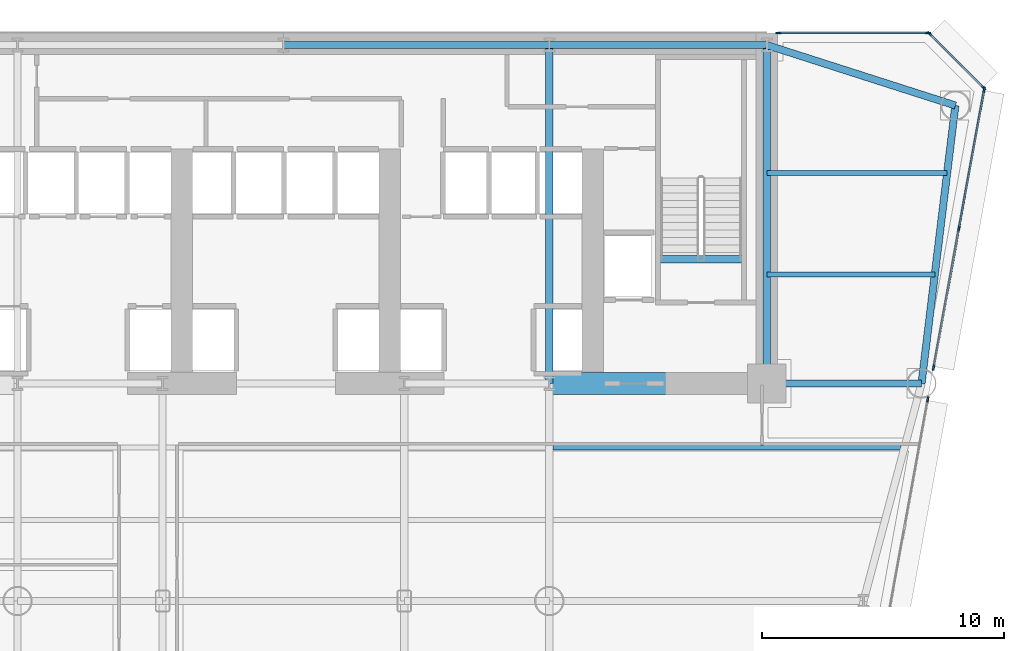
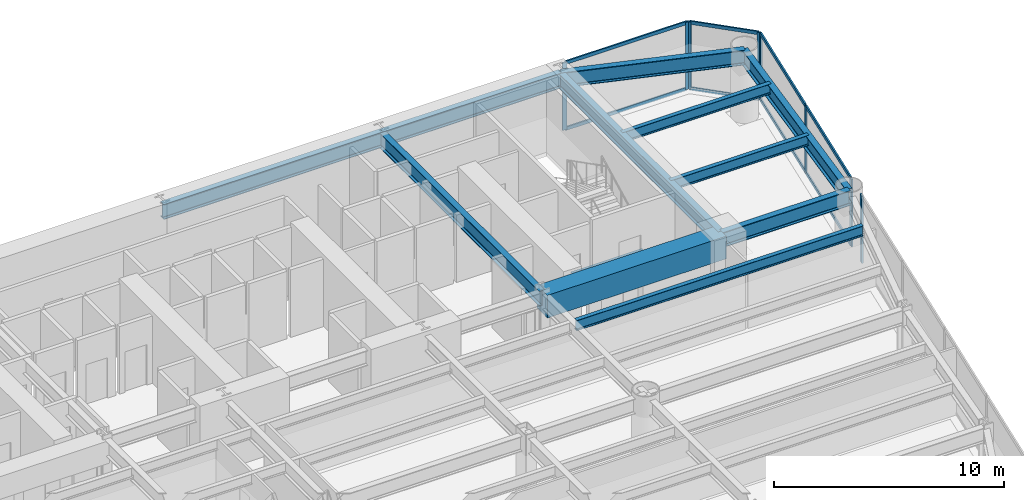
# One storey, part 6 of 14: 16 members, 12 beams, 4 elements without a shape of their own.
"""IFC4 building model written with IfcOpenShell, lengths in metres."""

import ifcopenshell
import ifcopenshell.guid

model = None  # the IFC model being written
_history = None  # IfcOwnerHistory: only IFC2X3 demands one
_inside = {}  # id of a spatial element -> (the spatial element, [elements in it])
_under = {}  # id of a project, library or spatial element -> (it, [spatial elements below it])
_declared = {}  # id of a project -> (the project, [libraries it declares])
_typed = {}  # id of a type object -> (the type object, [elements of that type])
_made_of = {}  # id of a material, layer set ... -> (it, [elements and type objects made of it])


def new_model(schema):
    """Start an empty IFC model of exactly this schema.

    Asked for "IFC4X3", IfcOpenShell would pick the latest addendum, in which some entities
    have other attributes; the version numbers below select the first issue.
    IFC2X3 requires an IfcOwnerHistory on every rooted entity: one is made here for all.
    """
    global model, _history
    if schema == "IFC4X3":
        model = ifcopenshell.file(schema_version=(4, 3, 0, 0))
    else:
        model = ifcopenshell.file(schema=schema)
    _inside.clear()
    _under.clear()
    _declared.clear()
    _typed.clear()
    _made_of.clear()
    _history = None
    if model.schema == "IFC2X3":
        org = make("IfcOrganization", Name="unknown")
        user = make(
            "IfcPersonAndOrganization",
            ThePerson=make("IfcPerson", FamilyName="unknown"),
            TheOrganization=org,
        )
        app = make(
            "IfcApplication",
            ApplicationDeveloper=org,
            Version="unknown",
            ApplicationFullName="unknown",
            ApplicationIdentifier="unknown",
        )
        _history = make(
            "IfcOwnerHistory",
            OwningUser=user,
            OwningApplication=app,
            ChangeAction="ADDED",
            CreationDate=0,
        )
    return model


def make(cls, **values):
    """One entity of the class cls with the attributes given. An attribute that is None is left unset."""
    return model.create_entity(
        cls, **{name: value for name, value in values.items() if value is not None}
    )


def rooted(cls, **values):
    """An entity with a GlobalId (a new one), such as an element, a storey or a relation."""
    return make(cls, GlobalId=ifcopenshell.guid.new(), OwnerHistory=_history, **values)


def si_unit(unit_type, name, prefix=None):
    """IfcSIUnit, for example si_unit("LENGTHUNIT", "METRE", prefix="MILLI")."""
    return make("IfcSIUnit", UnitType=unit_type, Prefix=prefix, Name=name)


def assignment(units):
    """IfcUnitAssignment: the units of a project."""
    return None if units is None else make("IfcUnitAssignment", Units=units)


def point(xyz):
    """IfcCartesianPoint."""
    return None if xyz is None else make("IfcCartesianPoint", Coordinates=xyz)


def direction(xyz):
    """IfcDirection."""
    return None if xyz is None else make("IfcDirection", DirectionRatios=xyz)


def frame(location, z_axis=None, x_axis=None):
    """IfcAxis2Placement3D, a coordinate frame: its origin and axes. An axis left out is left unset."""
    return make(
        "IfcAxis2Placement3D",
        Location=point(location),
        Axis=direction(z_axis),
        RefDirection=direction(x_axis),
    )


def frame_2d(location, x_axis=None):
    """IfcAxis2Placement2D, a coordinate frame in the plane: its origin and x axis."""
    return make(
        "IfcAxis2Placement2D", Location=point(location), RefDirection=direction(x_axis)
    )


def origin():
    """The frame at (0, 0, 0) with its axes left unset."""
    return frame((0.0, 0.0, 0.0))


def origin_2d():
    """The frame at (0, 0) in the plane with its x axis left unset."""
    return frame_2d((0.0, 0.0))


def place(relative_to, where):
    """IfcLocalPlacement: puts the frame where relative to a parent placement (None: the world)."""
    return make(
        "IfcLocalPlacement", PlacementRelTo=relative_to, RelativePlacement=where
    )


def context(
    kind, dimensions, precision=None, world=None, true_north=None, identifier=None
):
    """IfcGeometricRepresentationContext, for example the 3D "Model" context."""
    return make(
        "IfcGeometricRepresentationContext",
        ContextIdentifier=identifier,
        ContextType=kind,
        CoordinateSpaceDimension=dimensions,
        Precision=precision,
        WorldCoordinateSystem=world,
        TrueNorth=true_north,
    )


def subcontext(parent, identifier, kind, view, scale=None):
    """IfcGeometricRepresentationSubContext, for example "Body" below "Model"."""
    return make(
        "IfcGeometricRepresentationSubContext",
        ContextIdentifier=identifier,
        ContextType=kind,
        ParentContext=parent,
        TargetScale=scale,
        TargetView=view,
    )


def project(units=None, contexts=None):
    """IfcProject with its units and contexts."""
    return rooted(
        "IfcProject",
        Name="project",
        RepresentationContexts=contexts,
        UnitsInContext=assignment(units),
    )


def spatial(cls, under=None, at=None, **own):
    """A site, building, storey or space (cls), placed at a placement, below another one or the project."""
    s = rooted(cls, ObjectPlacement=at, **own)
    if under is not None:
        _under.setdefault(under.id(), (under, []))[1].append(s)
    return s


def profile(cls, at=None, kind="AREA", **sizes):
    """A parametric profile (cls). Its sizes go by their IFC names, for example OverallWidth=200.0."""
    return make(cls, ProfileType=kind, Position=at, **sizes)


def rectangle(**sizes):
    """IfcRectangleProfileDef."""
    return profile("IfcRectangleProfileDef", **sizes)


def i_section(**sizes):
    """IfcIShapeProfileDef."""
    return profile("IfcIShapeProfileDef", **sizes)


def extrude(swept, where, along, depth):
    """IfcExtrudedAreaSolid: the profile swept, set in the frame where, extruded along a direction by depth."""
    return make(
        "IfcExtrudedAreaSolid",
        SweptArea=swept,
        Position=where,
        ExtrudedDirection=direction(along),
        Depth=depth,
    )


def shape(context_of_items, identifier, shape_type, items):
    """IfcShapeRepresentation: the items that make up one representation, for example the "Body"."""
    return make(
        "IfcShapeRepresentation",
        ContextOfItems=context_of_items,
        RepresentationIdentifier=identifier,
        RepresentationType=shape_type,
        Items=items,
    )


def source(mapping_origin, context_of_items, identifier, shape_type, items):
    """IfcRepresentationMap: a shape defined once, which mapped items show again and again."""
    return make(
        "IfcRepresentationMap",
        MappingOrigin=mapping_origin,
        MappedRepresentation=shape(context_of_items, identifier, shape_type, items),
    )


def transform(
    local_origin,
    x_axis=None,
    y_axis=None,
    z_axis=None,
    scale=None,
    scale2=None,
    scale3=None,
    uniform=True,
):
    """IfcCartesianTransformationOperator3D, or its non-uniform kind. x_axis, y_axis, z_axis: its Axis1, 2, 3."""
    if uniform:
        return make(
            "IfcCartesianTransformationOperator3D",
            Axis1=direction(x_axis),
            Axis2=direction(y_axis),
            LocalOrigin=point(local_origin),
            Scale=scale,
            Axis3=direction(z_axis),
        )
    return make(
        "IfcCartesianTransformationOperator3DnonUniform",
        Axis1=direction(x_axis),
        Axis2=direction(y_axis),
        LocalOrigin=point(local_origin),
        Scale=scale,
        Axis3=direction(z_axis),
        Scale2=scale2,
        Scale3=scale3,
    )


def mapped(mapping_source, mapping_target):
    """IfcMappedItem: shows the shape of a source again, moved by a transform."""
    return make(
        "IfcMappedItem", MappingSource=mapping_source, MappingTarget=mapping_target
    )


def material(Name=None, Category=None):
    """IfcMaterial."""
    return make("IfcMaterial", Name=Name, Category=Category)


def layer(
    of_material, thickness, ventilated=None, Name=None, Category=None, Priority=None
):
    """IfcMaterialLayer: one layer of a wall or slab, of a material (None: an air gap)."""
    return make(
        "IfcMaterialLayer",
        Material=of_material,
        LayerThickness=thickness,
        IsVentilated=ventilated,
        Name=Name,
        Category=Category,
        Priority=Priority,
    )


def layer_set(layers, Name=None):
    """IfcMaterialLayerSet."""
    return make("IfcMaterialLayerSet", MaterialLayers=layers, LayerSetName=Name)


def material_profile(
    of_material, cross_section, Name=None, Category=None, Priority=None
):
    """IfcMaterialProfile: a cross section and its material."""
    return make(
        "IfcMaterialProfile",
        Name=Name,
        Material=of_material,
        Profile=cross_section,
        Priority=Priority,
        Category=Category,
    )


def profile_set(profiles, Name=None, composite=None):
    """IfcMaterialProfileSet."""
    return make(
        "IfcMaterialProfileSet",
        Name=Name,
        MaterialProfiles=profiles,
        CompositeProfile=composite,
    )


def made_of(thing, what):
    """Note that an element or type object is made of a material, layer set ...; save() writes the relation."""
    if what is not None:
        _made_of.setdefault(what.id(), (what, []))[1].append(thing)
    return thing


def type_object(cls, material=None, **own):
    """A type object (cls), such as IfcWallType, which elements share."""
    return made_of(rooted(cls, **own), material)


def element(
    cls,
    number,
    at=None,
    inside=None,
    cuts=None,
    type_object=None,
    material=None,
    context=None,
    identifier="Body",
    shape_type=None,
    held_by="IfcProductDefinitionShape",
    body=None,
    shapes=None,
    **own,
):
    """One element of the class cls, such as IfcWall. Its Tag is "e" and its number.

    at: its placement. inside: the storey or other place that contains it. cuts: it is an
    opening in that element (IfcRelVoidsElement). A single representation is given by context,
    identifier, shape_type and body (its items); several are given by shapes. held_by: the class
    of the entity that holds the representations. save() writes the other relations.
    """
    e = rooted(cls, Tag="e%d" % number, ObjectPlacement=at, **own)
    if body is not None:
        shapes = [shape(context, identifier, shape_type, body)]
    if shapes is not None:
        e.Representation = make(held_by, Representations=shapes)
    if inside is not None:
        _inside.setdefault(inside.id(), (inside, []))[1].append(e)
    if cuts is not None:
        rooted(
            "IfcRelVoidsElement", RelatingBuildingElement=cuts, RelatedOpeningElement=e
        )
    if type_object is not None:
        _typed.setdefault(type_object.id(), (type_object, []))[1].append(e)
    return made_of(e, material)


def aggregate(whole, parts):
    """IfcRelAggregates: a whole, such as a stair, and the parts it consists of."""
    return rooted("IfcRelAggregates", RelatingObject=whole, RelatedObjects=parts)


def save(model, path):
    """Write the relations noted so far, then the file.

    IfcRelAggregates (storeys below a building ...), IfcRelContainedInSpatialStructure (elements
    in a storey), IfcRelDefinesByType, IfcRelAssociatesMaterial and IfcRelDeclares: one each for
    every whole, place, type object, material and project.
    """
    for whole, parts in _under.values():
        aggregate(whole, parts)
    for where, things in _inside.values():
        rooted(
            "IfcRelContainedInSpatialStructure",
            RelatedElements=things,
            RelatingStructure=where,
        )
    for kind, things in _typed.values():
        rooted("IfcRelDefinesByType", RelatedObjects=things, RelatingType=kind)
    for what, things in _made_of.values():
        rooted("IfcRelAssociatesMaterial", RelatedObjects=things, RelatingMaterial=what)
    for by, libraries in _declared.values():
        rooted("IfcRelDeclares", RelatingContext=by, RelatedDefinitions=libraries)
    model.write(path)


model = new_model("IFC4")

# Units and contexts
model_context = context("Model", 3, precision=1e-05, world=origin(), true_north=direction((0.0, 1.0)))
body_context = subcontext(model_context, "Body", "Model", "MODEL_VIEW")
ifc_project = project(units=[si_unit("LENGTHUNIT", "METRE"), si_unit("AREAUNIT", "SQUARE_METRE"), si_unit("VOLUMEUNIT", "CUBIC_METRE"), si_unit("PLANEANGLEUNIT", "RADIAN"), si_unit("MASSUNIT", "GRAM", prefix="KILO")], contexts=[model_context])

# Site, building, storey
site_placement = place(None, origin())
site = spatial("IfcSite", under=ifc_project, at=site_placement, CompositionType="ELEMENT")
building_placement = place(site_placement, origin())
building = spatial("IfcBuilding", under=site, at=building_placement, Name="Vaeldorn Concourse Tower", CompositionType="ELEMENT")
storey_placement = place(building_placement, frame((0.0, 0.0, 45.39990234375)))
storey = spatial("IfcBuildingStorey", under=building, at=storey_placement, Name="L11", CompositionType="ELEMENT", Elevation=45.39990234375)

# Beams
ifc_material_1 = material(Name="Concrete C60/75", Category="concrete")
ifc_material_profile_1 = material_profile(ifc_material_1, rectangle(XDim=0.89990234375, YDim=1.199951171875, at=origin_2d()), Name="RC 900x1200")
ifc_profile_set_1 = profile_set([ifc_material_profile_1], Name="Concrete C60/75")
beam_type_1 = type_object("IfcBeamType", Name="BM-CB-RC900", PredefinedType="BEAM", material=ifc_profile_set_1)
shared_shape_1 = source(origin(), body_context, "Body", "SweptSolid", [
    extrude(rectangle(XDim=0.89990234375, YDim=1.199951171875, at=origin_2d()), origin(), (0.0, 0.0, 1.0), 9.0),
])
beam_1_placement = place(storey_placement, frame((45.0, 36.5, 2.97998046875), z_axis=(1.0, 0.0, 0.0), x_axis=(0.0, 1.0, 0.0)))
element("IfcBeam", 1, at=beam_1_placement, inside=storey, type_object=beam_type_1, Name="Core Coupling Beam L11-2", PredefinedType="BEAM", context=body_context, shape_type="MappedRepresentation", body=[
    mapped(shared_shape_1, transform((0.0, 0.0, 0.0), scale=1.0)),
])
ifc_material_2 = material(Name="Steel S355", Category="steel")
ifc_material_profile_2 = material_profile(ifc_material_2, i_section(OverallWidth=0.300048828125, OverallDepth=0.340087890625, WebThickness=0.011962890625, FlangeThickness=0.021484375, FilletRadius=0.027099609375, at=origin_2d()), Name="HEB 340")
ifc_profile_set_2 = profile_set([ifc_material_profile_2], Name="Steel S355")
beam_type_2 = type_object("IfcBeamType", Name="BM-ST-TRIM", PredefinedType="BEAM", material=ifc_profile_set_2)
shared_shape_2 = source(origin(), body_context, "Body", "SweptSolid", [
    extrude(i_section(OverallWidth=0.300048828125, OverallDepth=0.340087890625, WebThickness=0.011962890625, FlangeThickness=0.021484375, FilletRadius=0.027099609375, at=origin_2d()), origin(), (0.0, 0.0, 1.0), 3.590087890625),
])
beam_2_placement = place(storey_placement, frame((49.47998046875, 41.639892578125, -0.389892578125), z_axis=(1.0, 0.0, 0.0), x_axis=(0.0, 1.0, 0.0)))
element("IfcBeam", 2, at=beam_2_placement, inside=storey, type_object=beam_type_2, Name="Stair Landing Trimmer Beam ST-2 L11", PredefinedType="BEAM", context=body_context, shape_type="MappedRepresentation", body=[
    mapped(shared_shape_2, transform((0.0, 0.0, 0.0), scale=1.0)),
])
ifc_material_profile_3 = material_profile(ifc_material_2, i_section(OverallWidth=0.300048828125, OverallDepth=0.800048828125, WebThickness=0.017578125, FlangeThickness=0.032958984375, FilletRadius=0.030029296875, at=origin_2d()), Name="HEB 800")
ifc_profile_set_3 = profile_set([ifc_material_profile_3], Name="Steel S355")
beam_type_3 = type_object("IfcBeamType", Name="BM-PG-HEB800", PredefinedType="BEAM", material=ifc_profile_set_3)
shared_shape_3 = source(origin(), body_context, "Body", "SweptSolid", [
    extrude(i_section(OverallWidth=0.300048828125, OverallDepth=0.800048828125, WebThickness=0.017578125, FlangeThickness=0.032958984375, FilletRadius=0.030029296875, at=origin_2d()), origin(), (0.0, 0.0, 1.0), 9.0),
])
beam_3_placement = place(storey_placement, frame((45.0, 50.5, 3.18017578125), z_axis=(1.0, 0.0, 0.0), x_axis=(0.0, 1.0, 0.0)))
element("IfcBeam", 3, at=beam_3_placement, inside=storey, type_object=beam_type_3, Name="Beam BM-L11-C-HC4-C-HC5", PredefinedType="BEAM", context=body_context, shape_type="MappedRepresentation", body=[
    mapped(shared_shape_3, transform((0.0, 0.0, 0.0), scale=1.0)),
])
shared_shape_4 = source(origin(), body_context, "Body", "SweptSolid", [
    extrude(i_section(OverallWidth=0.300048828125, OverallDepth=0.800048828125, WebThickness=0.017578125, FlangeThickness=0.032958984375, FilletRadius=0.030029296875, at=origin_2d()), origin(), (0.0, 0.0, 1.0), 11.0),
])
beam_4_placement = place(storey_placement, frame((34.0, 50.5, 3.18017578125), z_axis=(1.0, 0.0, 0.0), x_axis=(0.0, 1.0, 0.0)))
element("IfcBeam", 4, at=beam_4_placement, inside=storey, type_object=beam_type_3, Name="Beam BM-L11-C-HC3-C-HC4", PredefinedType="BEAM", context=body_context, shape_type="MappedRepresentation", body=[
    mapped(shared_shape_4, transform((0.0, 0.0, 0.0), scale=1.0)),
])
shared_shape_5 = source(origin(), body_context, "Body", "SweptSolid", [
    extrude(i_section(OverallWidth=0.300048828125, OverallDepth=0.800048828125, WebThickness=0.017578125, FlangeThickness=0.032958984375, FilletRadius=0.030029296875, at=origin_2d()), origin(), (0.0, 0.0, 1.0), 14.0),
])
for number, where, z_axis, x_axis, name in (
    (5, (45.0, 36.5, 3.18017578125), (0.0, 1.0, 0.0), (-1.0, 0.0, 0.0), "Beam BM-L11-C-FC5-C-HC4"),
    (6, (54.0, 36.5, 3.18017578125), (0.0, 1.0, 0.0), (-1.0, 0.0, 0.0), "Beam BM-L11-C-FC6-C-HC5"),
):
    element("IfcBeam", number, at=place(storey_placement, frame(where, z_axis=z_axis, x_axis=x_axis)), inside=storey, type_object=beam_type_3, Name=name, PredefinedType="BEAM", context=body_context, shape_type="MappedRepresentation", body=[
        mapped(shared_shape_5, transform((0.0, 0.0, 0.0), scale=1.0)),
    ])
shared_shape_6 = source(origin(), body_context, "Body", "SweptSolid", [
    extrude(i_section(OverallWidth=0.300048828125, OverallDepth=0.800048828125, WebThickness=0.017578125, FlangeThickness=0.032958984375, FilletRadius=0.030029296875, at=origin_2d()), origin(), (0.0, 0.0, 1.0), 8.19091796875),
])
beam_5_placement = place(storey_placement, frame((54.0, 50.5, 3.18017578125), z_axis=(0.952282843383, -0.305216949396, 0.0), x_axis=(0.305216949396, 0.952282843383, 0.0)))
element("IfcBeam", 7, at=beam_5_placement, inside=storey, type_object=beam_type_3, Name="Beam BM-L11-C-HC5-C-NE1", PredefinedType="BEAM", context=body_context, shape_type="MappedRepresentation", body=[
    mapped(shared_shape_6, transform((0.0, 0.0, 0.0), scale=1.0)),
])
shared_shape_7 = source(origin(), body_context, "Body", "SweptSolid", [
    extrude(i_section(OverallWidth=0.300048828125, OverallDepth=0.800048828125, WebThickness=0.017578125, FlangeThickness=0.032958984375, FilletRadius=0.030029296875, at=origin_2d()), origin(), (0.0, 0.0, 1.0), 11.5849609375),
])
beam_6_placement = place(storey_placement, frame((61.800048828125, 48.0, 3.18017578125), z_axis=(-0.120859382899, -0.992669637677, 0.0), x_axis=(0.992669637677, -0.120859382899, 0.0)))
element("IfcBeam", 8, at=beam_6_placement, inside=storey, type_object=beam_type_3, Name="Beam BM-L11-C-NE1-C-NE2", PredefinedType="BEAM", context=body_context, shape_type="MappedRepresentation", body=[
    mapped(shared_shape_7, transform((0.0, 0.0, 0.0), scale=1.0)),
])
shared_shape_8 = source(origin(), body_context, "Body", "SweptSolid", [
    extrude(i_section(OverallWidth=0.300048828125, OverallDepth=0.800048828125, WebThickness=0.017578125, FlangeThickness=0.032958984375, FilletRadius=0.030029296875, at=origin_2d()), origin(), (0.0, 0.0, 1.0), 6.39990234375),
])
beam_7_placement = place(storey_placement, frame((54.0, 36.5, 3.18017578125), z_axis=(1.0, 0.0, 0.0), x_axis=(0.0, 1.0, 0.0)))
element("IfcBeam", 9, at=beam_7_placement, inside=storey, type_object=beam_type_3, Name="Beam BM-L11-C-FC6-C-NE2", PredefinedType="BEAM", context=body_context, shape_type="MappedRepresentation", body=[
    mapped(shared_shape_8, transform((0.0, 0.0, 0.0), scale=1.0)),
])
ifc_material_profile_4 = material_profile(ifc_material_2, i_section(OverallWidth=0.2099609375, OverallDepth=0.550048828125, WebThickness=0.010986328125, FlangeThickness=0.01708984375, FilletRadius=0.02392578125, at=origin_2d()), Name="IPE 550")
ifc_profile_set_4 = profile_set([ifc_material_profile_4], Name="Steel S355")
beam_type_4 = type_object("IfcBeamType", Name="BM-JS-IPE550", PredefinedType="JOIST", material=ifc_profile_set_4)
shared_shape_9 = source(origin(), body_context, "Body", "SweptSolid", [
    extrude(i_section(OverallWidth=0.2099609375, OverallDepth=0.550048828125, WebThickness=0.010986328125, FlangeThickness=0.01708984375, FilletRadius=0.02392578125, at=origin_2d()), origin(), (0.0, 0.0, 1.0), 6.94775390625),
])
beam_8_placement = place(storey_placement, frame((54.0, 41.0, 3.30517578125), z_axis=(1.0, 0.0, 0.0), x_axis=(0.0, 1.0, 0.0)))
element("IfcBeam", 10, at=beam_8_placement, inside=storey, type_object=beam_type_4, Name="Beam JS-L11-NE-410", PredefinedType="JOIST", context=body_context, shape_type="MappedRepresentation", body=[
    mapped(shared_shape_9, transform((0.0, 0.0, 0.0), scale=1.0)),
])
shared_shape_10 = source(origin(), body_context, "Body", "SweptSolid", [
    extrude(i_section(OverallWidth=0.2099609375, OverallDepth=0.550048828125, WebThickness=0.010986328125, FlangeThickness=0.01708984375, FilletRadius=0.02392578125, at=origin_2d()), origin(), (0.0, 0.0, 1.0), 7.458984375),
])
beam_9_placement = place(storey_placement, frame((54.0, 45.199951171875, 3.30517578125), z_axis=(1.0, 0.0, 0.0), x_axis=(0.0, 1.0, 0.0)))
element("IfcBeam", 11, at=beam_9_placement, inside=storey, type_object=beam_type_4, Name="Beam JS-L11-NE-452", PredefinedType="JOIST", context=body_context, shape_type="MappedRepresentation", body=[
    mapped(shared_shape_10, transform((0.0, 0.0, 0.0), scale=1.0)),
])
shared_shape_11 = source(origin(), body_context, "Body", "SweptSolid", [
    extrude(i_section(OverallWidth=0.2099609375, OverallDepth=0.550048828125, WebThickness=0.010986328125, FlangeThickness=0.01708984375, FilletRadius=0.02392578125, at=origin_2d()), origin(), (0.0, 0.0, 1.0), 14.39599609375),
])
beam_10_placement = place(storey_placement, frame((45.14990234375, 33.860107421875, 3.30517578125), z_axis=(1.0, 0.0, 0.0), x_axis=(0.0, 1.0, 0.0)))
element("IfcBeam", 12, at=beam_10_placement, inside=storey, type_object=beam_type_4, Name="Beam JS-L11-E1-338", PredefinedType="JOIST", context=body_context, shape_type="MappedRepresentation", body=[
    mapped(shared_shape_11, transform((0.0, 0.0, 0.0), scale=1.0)),
])

# Curtain wall, members
ifc_material_3 = material(Name="Anodised Bronze Aluminium", Category="aluminium")
ifc_layer = layer(ifc_material_3, 0.219970703125)
ifc_layer_set = layer_set([ifc_layer], Name="Anodised Bronze Aluminium")
curtain_wall_type = type_object("IfcCurtainWallType", Name="CW-SYS-01", PredefinedType="NOTDEFINED", material=ifc_layer_set)
curtain_wall_1_placement = place(storey_placement, origin())
curtain_wall_1 = element("IfcCurtainWall", 13, at=curtain_wall_1_placement, inside=storey, type_object=curtain_wall_type, Name="Unitised Curtain Wall CW-L11-E08-1", PredefinedType="NOTDEFINED")
ifc_material_profile_5 = material_profile(ifc_material_3, rectangle(XDim=0.074951171875, YDim=0.179931640625, at=origin_2d()), Name="CWT 75x180")
ifc_profile_set_5 = profile_set([ifc_material_profile_5], Name="Anodised Bronze Aluminium")
member_type_1 = type_object("IfcMemberType", Name="CWT-BRONZE-180", PredefinedType="USERDEFINED", material=ifc_profile_set_5)
shared_shape_12 = source(origin(), body_context, "Body", "SweptSolid", [
    extrude(rectangle(XDim=0.074951171875, YDim=0.179931640625, at=origin_2d()), origin(), (0.0, 0.0, 1.0), 3.10302734375),
])
member_1_placement = place(storey_placement, frame((62.947021484375, 48.7529296875, 0.03759765625), z_axis=(-0.707106781187, 0.707106781187, 0.0), x_axis=(-0.707106781187, -0.707106781187, 0.0)))
member_1 = element("IfcMember", 14, at=member_1_placement, type_object=member_type_1, Name="CW-01 transom 1.1", ObjectType="TRANSOM", PredefinedType="USERDEFINED", context=body_context, shape_type="MappedRepresentation", body=[
    mapped(shared_shape_12, transform((0.0, 0.0, 0.0), scale=1.0)),
])
member_2_placement = place(storey_placement, frame((62.947021484375, 48.7529296875, 3.54248046875), z_axis=(-0.707106781187, 0.707106781187, 0.0), x_axis=(-0.707106781187, -0.707106781187, 0.0)))
member_2 = element("IfcMember", 15, at=member_2_placement, type_object=member_type_1, Name="CW-01 transom 1.2", ObjectType="TRANSOM", PredefinedType="USERDEFINED", context=body_context, shape_type="MappedRepresentation", body=[
    mapped(shared_shape_12, transform((0.0, 0.0, 0.0), scale=1.0)),
])

curtain_wall_2_placement = place(storey_placement, origin())
curtain_wall_2 = element("IfcCurtainWall", 16, at=curtain_wall_2_placement, inside=storey, type_object=curtain_wall_type, Name="Unitised Curtain Wall CW-L11-E09-1", PredefinedType="NOTDEFINED")
shared_shape_13 = source(origin(), body_context, "Body", "SweptSolid", [
    extrude(rectangle(XDim=0.074951171875, YDim=0.179931640625, at=origin_2d()), origin(), (0.0, 0.0, 1.0), 6.10498046875),
])
member_3_placement = place(storey_placement, frame((60.625, 51.0, 0.03759765625), z_axis=(-1.0, 0.0, 0.0), x_axis=(0.0, -1.0, 0.0)))
member_3 = element("IfcMember", 17, at=member_3_placement, type_object=member_type_1, Name="CW-01 transom 1.1", ObjectType="TRANSOM", PredefinedType="USERDEFINED", context=body_context, shape_type="MappedRepresentation", body=[
    mapped(shared_shape_13, transform((0.0, 0.0, 0.0), scale=1.0)),
])
member_4_placement = place(storey_placement, frame((60.625, 51.0, 3.54248046875), z_axis=(-1.0, 0.0, 0.0), x_axis=(0.0, -1.0, 0.0)))
member_4 = element("IfcMember", 18, at=member_4_placement, type_object=member_type_1, Name="CW-01 transom 1.2", ObjectType="TRANSOM", PredefinedType="USERDEFINED", context=body_context, shape_type="MappedRepresentation", body=[
    mapped(shared_shape_13, transform((0.0, 0.0, 0.0), scale=1.0)),
])

# Curtain wall, member
curtain_wall_3_placement = place(storey_placement, origin())
curtain_wall_3 = element("IfcCurtainWall", 19, at=curtain_wall_3_placement, inside=storey, type_object=curtain_wall_type, Name="Unitised Curtain Wall CW-L11-E07-1", PredefinedType="NOTDEFINED")
ifc_material_profile_6 = material_profile(ifc_material_3, rectangle(XDim=0.074951171875, YDim=0.219970703125, at=origin_2d()), Name="CWM 75x220")
ifc_profile_set_6 = profile_set([ifc_material_profile_6], Name="Anodised Bronze Aluminium")
member_type_2 = type_object("IfcMemberType", Name="CWM-BRONZE-220", PredefinedType="MULLION", material=ifc_profile_set_6)
shared_shape_14 = source(origin(), body_context, "Body", "SweptSolid", [
    extrude(rectangle(XDim=0.074951171875, YDim=0.219970703125, at=origin_2d()), origin(), (0.0, 0.0, 1.0), 3.580078125),
])
member_5_placement = place(storey_placement, frame((60.660400390625, 35.843505859375, 0.0), z_axis=(0.0, 0.0, 1.0), x_axis=(-0.983843702363, 0.179029520807, 0.0)))
member_5 = element("IfcMember", 20, at=member_5_placement, type_object=member_type_2, Name="CW-01 mullion 7", PredefinedType="MULLION", context=body_context, shape_type="MappedRepresentation", body=[
    mapped(shared_shape_14, transform((0.0, 0.0, 0.0), scale=1.0)),
])
aggregate(curtain_wall_3, [member_5])

# Curtain wall, members
curtain_wall_4_placement = place(storey_placement, origin())
curtain_wall_4 = element("IfcCurtainWall", 21, at=curtain_wall_4_placement, inside=storey, type_object=curtain_wall_type, Name="Unitised Curtain Wall CW-L11-E07-2", PredefinedType="NOTDEFINED")
member_6_placement = place(storey_placement, frame((60.8994140625, 37.156494140625, 0.0), z_axis=(0.0, 0.0, 1.0), x_axis=(-0.98384366482, 0.17902972712, 0.0)))
member_6 = element("IfcMember", 22, at=member_6_placement, type_object=member_type_2, Name="CW-01 mullion 1", PredefinedType="MULLION", context=body_context, shape_type="MappedRepresentation", body=[
    mapped(shared_shape_14, transform((0.0, 0.0, 0.0), scale=1.0)),
])
member_7_placement = place(storey_placement, frame((61.9462890625, 42.90966796875, 0.0), z_axis=(0.0, 0.0, 1.0), x_axis=(-0.98384366482, 0.17902972712, 0.0)))
member_7 = element("IfcMember", 23, at=member_7_placement, type_object=member_type_2, Name="CW-01 mullion 2", PredefinedType="MULLION", context=body_context, shape_type="MappedRepresentation", body=[
    mapped(shared_shape_14, transform((0.0, 0.0, 0.0), scale=1.0)),
])
member_8_placement = place(storey_placement, frame((62.993408203125, 48.6630859375, 0.0), z_axis=(0.0, 0.0, 1.0), x_axis=(-0.98384366482, 0.17902972712, 0.0)))
member_8 = element("IfcMember", 24, at=member_8_placement, type_object=member_type_2, Name="CW-01 mullion 3", PredefinedType="MULLION", context=body_context, shape_type="MappedRepresentation", body=[
    mapped(shared_shape_14, transform((0.0, 0.0, 0.0), scale=1.0)),
])

# Member
member_9_placement = place(storey_placement, frame((62.973388671875, 48.7265625, 0.0), z_axis=(0.0, 0.0, 1.0), x_axis=(-0.707106781187, -0.707106781187, 0.0)))
member_9 = element("IfcMember", 25, at=member_9_placement, type_object=member_type_2, Name="CW-01 mullion 1", PredefinedType="MULLION", context=body_context, shape_type="MappedRepresentation", body=[
    mapped(shared_shape_14, transform((0.0, 0.0, 0.0), scale=1.0)),
])

member_10_placement = place(storey_placement, frame((60.7265625, 50.973388671875, 0.0), z_axis=(0.0, 0.0, 1.0), x_axis=(-0.707106781187, -0.707106781187, 0.0)))
member_10 = element("IfcMember", 26, at=member_10_placement, type_object=member_type_2, Name="CW-01 mullion 2", PredefinedType="MULLION", context=body_context, shape_type="MappedRepresentation", body=[
    mapped(shared_shape_14, transform((0.0, 0.0, 0.0), scale=1.0)),
])

aggregate(curtain_wall_1, [member_9, member_10, member_1, member_2])

member_11_placement = place(storey_placement, frame((60.66259765625, 51.0, 0.0), z_axis=(0.0, 0.0, 1.0), x_axis=(0.0, -1.0, 0.0)))
member_11 = element("IfcMember", 27, at=member_11_placement, type_object=member_type_2, Name="CW-01 mullion 1", PredefinedType="MULLION", context=body_context, shape_type="MappedRepresentation", body=[
    mapped(shared_shape_14, transform((0.0, 0.0, 0.0), scale=1.0)),
])

member_12_placement = place(storey_placement, frame((54.482421875, 51.0, 0.0), z_axis=(0.0, 0.0, 1.0), x_axis=(0.0, -1.0, 0.0)))
member_12 = element("IfcMember", 28, at=member_12_placement, type_object=member_type_2, Name="CW-01 mullion 2", PredefinedType="MULLION", context=body_context, shape_type="MappedRepresentation", body=[
    mapped(shared_shape_14, transform((0.0, 0.0, 0.0), scale=1.0)),
])

aggregate(curtain_wall_2, [member_11, member_12, member_3, member_4])

shared_shape_15 = source(origin(), body_context, "Body", "SweptSolid", [
    extrude(rectangle(XDim=0.074951171875, YDim=0.179931640625, at=origin_2d()), origin(), (0.0, 0.0, 1.0), 5.772705078125),
])
member_13_placement = place(storey_placement, frame((60.906005859375, 37.193359375, 0.03759765625), z_axis=(0.179064076408, 0.983837413672, 0.0), x_axis=(-0.983837413672, 0.179064076408, 0.0)))
member_13 = element("IfcMember", 29, at=member_13_placement, type_object=member_type_1, Name="CW-01 transom 1.1", ObjectType="TRANSOM", PredefinedType="USERDEFINED", context=body_context, shape_type="MappedRepresentation", body=[
    mapped(shared_shape_15, transform((0.0, 0.0, 0.0), scale=1.0)),
])

member_14_placement = place(storey_placement, frame((60.906005859375, 37.193359375, 3.54248046875), z_axis=(0.179064076408, 0.983837413672, 0.0), x_axis=(-0.983837413672, 0.179064076408, 0.0)))
member_14 = element("IfcMember", 30, at=member_14_placement, type_object=member_type_1, Name="CW-01 transom 1.2", ObjectType="TRANSOM", PredefinedType="USERDEFINED", context=body_context, shape_type="MappedRepresentation", body=[
    mapped(shared_shape_15, transform((0.0, 0.0, 0.0), scale=1.0)),
])

shared_shape_16 = source(origin(), body_context, "Body", "SweptSolid", [
    extrude(rectangle(XDim=0.074951171875, YDim=0.179931640625, at=origin_2d()), origin(), (0.0, 0.0, 1.0), 5.77294921875),
])
member_15_placement = place(storey_placement, frame((61.953125, 42.946533203125, 0.03759765625), z_axis=(0.179015691376, 0.983846218797, 0.0), x_axis=(-0.983846218797, 0.179015691376, 0.0)))
member_15 = element("IfcMember", 31, at=member_15_placement, type_object=member_type_1, Name="CW-01 transom 2.1", ObjectType="TRANSOM", PredefinedType="USERDEFINED", context=body_context, shape_type="MappedRepresentation", body=[
    mapped(shared_shape_16, transform((0.0, 0.0, 0.0), scale=1.0)),
])

member_16_placement = place(storey_placement, frame((61.953125, 42.946533203125, 3.54248046875), z_axis=(0.179015691376, 0.983846218797, 0.0), x_axis=(-0.983846218797, 0.179015691376, 0.0)))
member_16 = element("IfcMember", 32, at=member_16_placement, type_object=member_type_1, Name="CW-01 transom 2.2", ObjectType="TRANSOM", PredefinedType="USERDEFINED", context=body_context, shape_type="MappedRepresentation", body=[
    mapped(shared_shape_16, transform((0.0, 0.0, 0.0), scale=1.0)),
])

aggregate(curtain_wall_4, [member_6, member_7, member_8, member_13, member_14, member_15, member_16])

save(model, "model.ifc")
